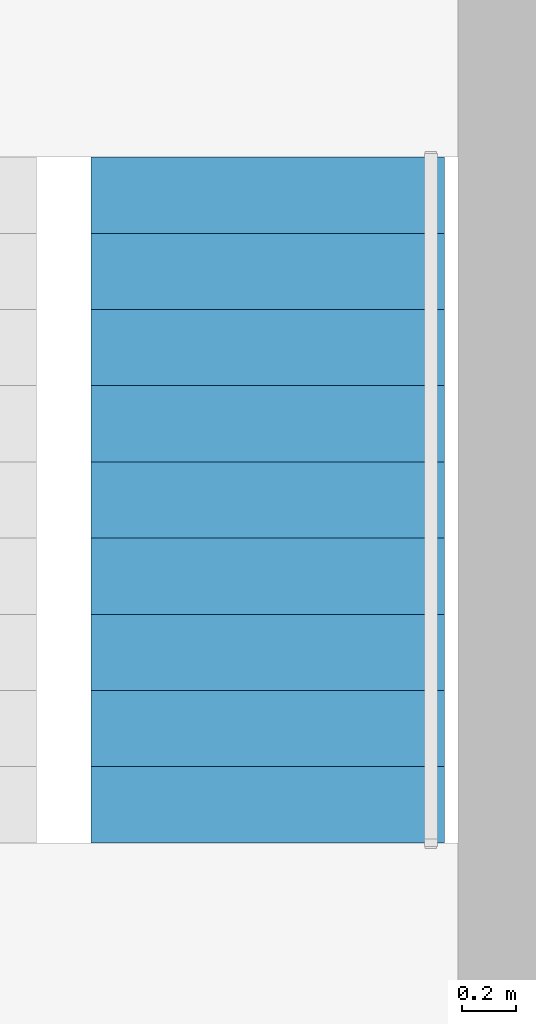
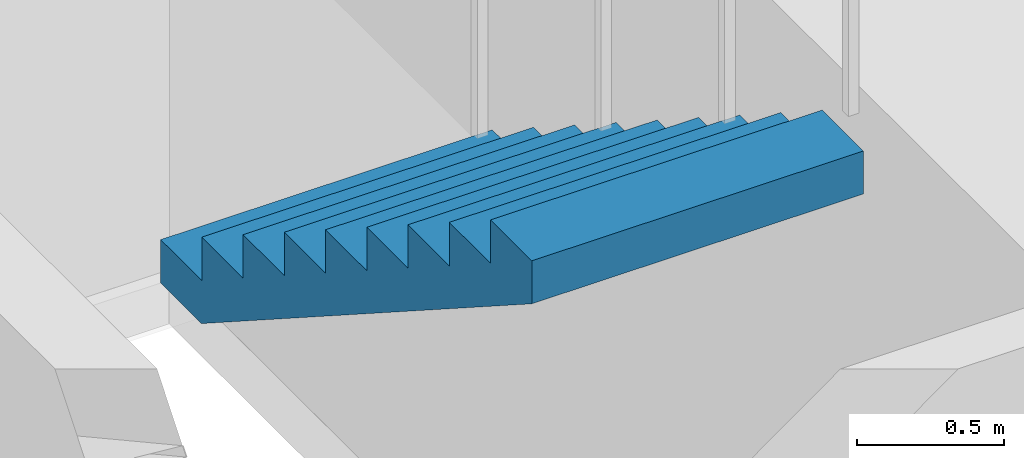
# One storey, part 7 of 8: 1 stair flight, 1 element without a shape of its own.
"""IFC4 building model written with IfcOpenShell, lengths in metres."""

from ifc_helpers import new_model, si_unit, direction, frame, origin, place, context, subcontext, project, spatial, polyline, outline, extrude, material, type_object, element, aggregate, save


model = new_model("IFC4")

# Units and contexts
model_context = context("Model", 3, precision=1e-05, world=origin(), true_north=direction((0.0, 1.0)))
body_context = subcontext(model_context, "Body", "Model", "MODEL_VIEW")
ifc_project = project(units=[si_unit("LENGTHUNIT", "METRE"), si_unit("AREAUNIT", "SQUARE_METRE"), si_unit("VOLUMEUNIT", "CUBIC_METRE"), si_unit("PLANEANGLEUNIT", "RADIAN"), si_unit("MASSUNIT", "GRAM", prefix="KILO")], contexts=[model_context])

# Site, building, storey
site_placement = place(None, origin())
site = spatial("IfcSite", under=ifc_project, at=site_placement, CompositionType="ELEMENT")
building_placement = place(site_placement, origin())
building = spatial("IfcBuilding", under=site, at=building_placement, Name="Nyansa Garden Tower", CompositionType="ELEMENT")
storey_placement = place(building_placement, frame((0.0, 0.0, 229.5)))
storey = spatial("IfcBuildingStorey", under=building, at=storey_placement, Name="L62", CompositionType="ELEMENT", Elevation=229.5)

# Stair, stair flight
ifc_material_1 = material(Name="Precast concrete C40/50", Category="concrete")
stair_type = type_object("IfcStairType", Name="Stair S2 180x280", PredefinedType="HALF_TURN_STAIR", material=ifc_material_1)
stair_placement = place(storey_placement, origin())
stair = element("IfcStair", 1, at=stair_placement, inside=storey, type_object=stair_type, Name="Stair S2 L62", PredefinedType="HALF_TURN_STAIR")
ifc_material_2 = material(Name="Precast concrete C40/50", Category="concrete")
stair_flight_type = type_object("IfcStairFlightType", Name="Stair flight S2 180x280x10", PredefinedType="STRAIGHT", material=ifc_material_2)
stair_flight_placement = place(storey_placement, frame((25.699951171875, 24.1201171875, 1.800048828125), z_axis=(0.0, 0.0, 1.0), x_axis=(0.0, -1.0, 0.0)))
stair_flight = element("IfcStairFlight", 2, at=stair_flight_placement, type_object=stair_flight_type, Name="S2 flight 2", NumberOfRisers=10, NumberOfTreads=9, PredefinedType="STRAIGHT", RiserHeight=0.18, TreadLength=0.28, context=body_context, shape_type="SweptSolid", body=[
    extrude(outline(polyline([(0.0, 0.0), (0.0, 0.179931640625), (0.280029296875, 0.179931640625), (0.280029296875, 0.360107421875), (0.56005859375, 0.360107421875), (0.56005859375, 0.5400390625), (0.840087890625, 0.5400390625), (0.840087890625, 0.719970703125), (1.1201171875, 0.719970703125), (1.1201171875, 0.89990234375), (1.39990234375, 0.89990234375), (1.39990234375, 1.080078125), (1.679931640625, 1.080078125), (1.679931640625, 1.260009765625), (1.9599609375, 1.260009765625), (1.9599609375, 1.43994140625), (2.239990234375, 1.43994140625), (2.239990234375, 1.6201171875), (2.52001953125, 1.6201171875), (2.52001953125, 1.800048828125), (2.52001953125, 1.44189453125), (0.277099609375, 0.0), (0.0, 0.0)])), frame((0.0, 0.64990234375, 0.0), z_axis=(0.0, -1.0, 0.0), x_axis=(1.0, 0.0, 0.0)), (0.0, 0.0, 1.0), 1.300048828125),
])
aggregate(stair, [stair_flight])

save(model, "model.ifc")
